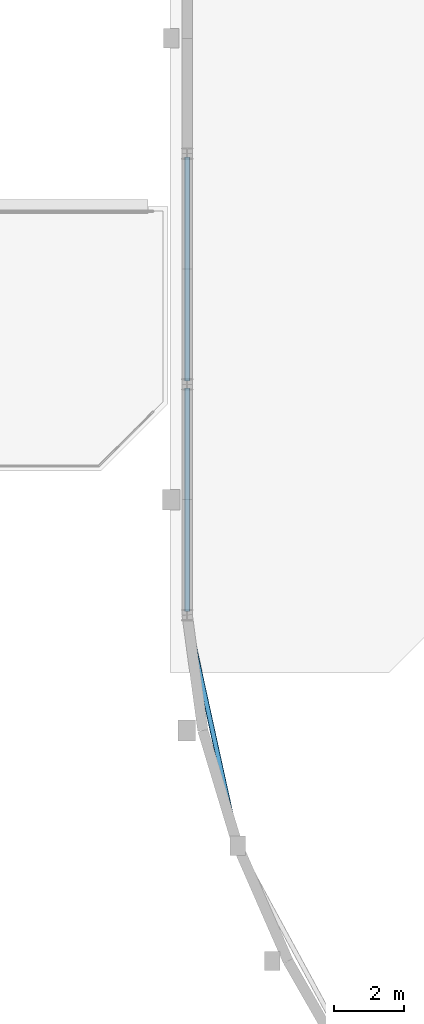
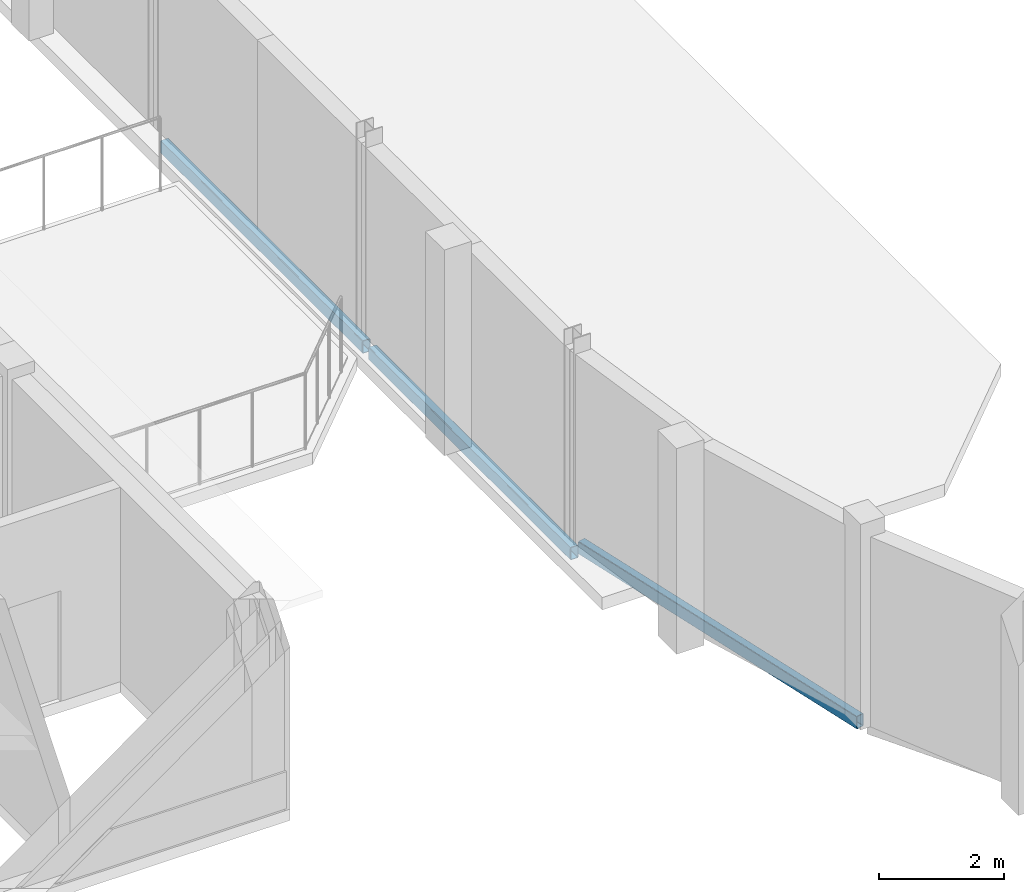
# One storey, part 32 of 89: 3 beams.
"""IFC4 building model written with IfcOpenShell, lengths in metres."""

from ifc_helpers import new_model, si_unit, direction, frame, origin, origin_2d, place, context, subcontext, project, spatial, hollow_rectangle, extrude, material, material_profile, profile_set, type_object, element, save


model = new_model("IFC4")

# Units and contexts
model_context = context("Model", 3, precision=1e-05, world=origin(), true_north=direction((0.0, 1.0)))
body_context = subcontext(model_context, "Body", "Model", "MODEL_VIEW")
ifc_project = project(units=[si_unit("LENGTHUNIT", "METRE"), si_unit("AREAUNIT", "SQUARE_METRE"), si_unit("VOLUMEUNIT", "CUBIC_METRE"), si_unit("PLANEANGLEUNIT", "RADIAN"), si_unit("MASSUNIT", "GRAM", prefix="KILO")], contexts=[model_context])

# Site, building, storey
site_placement = place(None, origin())
site = spatial("IfcSite", under=ifc_project, at=site_placement, CompositionType="ELEMENT")
building_placement = place(site_placement, origin())
building = spatial("IfcBuilding", under=site, at=building_placement, Name="Kelanivale Promenade Academy", CompositionType="ELEMENT")
storey_placement = place(building_placement, frame((0.0, 0.0, 12.199951171875)))
storey = spatial("IfcBuildingStorey", under=building, at=storey_placement, Name="L03", CompositionType="ELEMENT", Elevation=12.199951171875)

# Beams
ifc_material = material(Name="Steel S355", Category="steel")
ifc_material_profile = material_profile(ifc_material, hollow_rectangle(XDim=0.14990234375, YDim=0.25, WallThickness=0.010009765625, InnerFilletRadius=0.010009765625, OuterFilletRadius=0.02001953125, at=origin_2d()), Name="RHS 250x150x10.0")
ifc_profile_set = profile_set([ifc_material_profile], Name="Steel S355")
beam_type = type_object("IfcBeamType", Name="SB-13 RHS 250x150x10.0", PredefinedType="SPANDREL", material=ifc_profile_set)
beam_1_placement = place(storey_placement, frame((124.779052734375, 39.72705078125, -0.125), z_axis=(-0.213839528573, 0.976868801846, 0.0), x_axis=(-0.976868801846, -0.213839528573, 0.0)))
element("IfcBeam", 1, at=beam_1_placement, inside=storey, type_object=beam_type, Name="Assembly Hall Arc Pavilion inner kidney ring beam SB-13", PredefinedType="SPANDREL", context=body_context, shape_type="SweptSolid", body=[
    extrude(hollow_rectangle(XDim=0.14990234375, YDim=0.25, WallThickness=0.010009765625, InnerFilletRadius=0.010009765625, OuterFilletRadius=0.02001953125, at=origin_2d()), origin(), (0.0, 0.0, 1.0), 6.584228515625),
])
beam_2_placement = place(storey_placement, frame((123.35009765625, 46.35693359375, -0.364990234375), z_axis=(0.0, 1.0, 0.0), x_axis=(-1.0, 0.0, 0.0)))
element("IfcBeam", 2, at=beam_2_placement, inside=storey, type_object=beam_type, Name="Assembly Hall Arc Pavilion inner kidney ring beam SB-13", PredefinedType="SPANDREL", context=body_context, shape_type="SweptSolid", body=[
    extrude(hollow_rectangle(XDim=0.14990234375, YDim=0.25, WallThickness=0.010009765625, InnerFilletRadius=0.010009765625, OuterFilletRadius=0.02001953125, at=origin_2d()), origin(), (0.0, 0.0, 1.0), 6.428955078125),
])
beam_3_placement = place(storey_placement, frame((123.35009765625, 52.986083984375, -0.364990234375), z_axis=(0.0, 1.0, 0.0), x_axis=(-1.0, 0.0, 0.0)))
element("IfcBeam", 3, at=beam_3_placement, inside=storey, type_object=beam_type, Name="Assembly Hall Arc Pavilion inner kidney ring beam SB-13", PredefinedType="SPANDREL", context=body_context, shape_type="SweptSolid", body=[
    extrude(hollow_rectangle(XDim=0.14990234375, YDim=0.25, WallThickness=0.010009765625, InnerFilletRadius=0.010009765625, OuterFilletRadius=0.02001953125, at=origin_2d()), origin(), (0.0, 0.0, 1.0), 6.427978515625),
])

save(model, "model.ifc")
